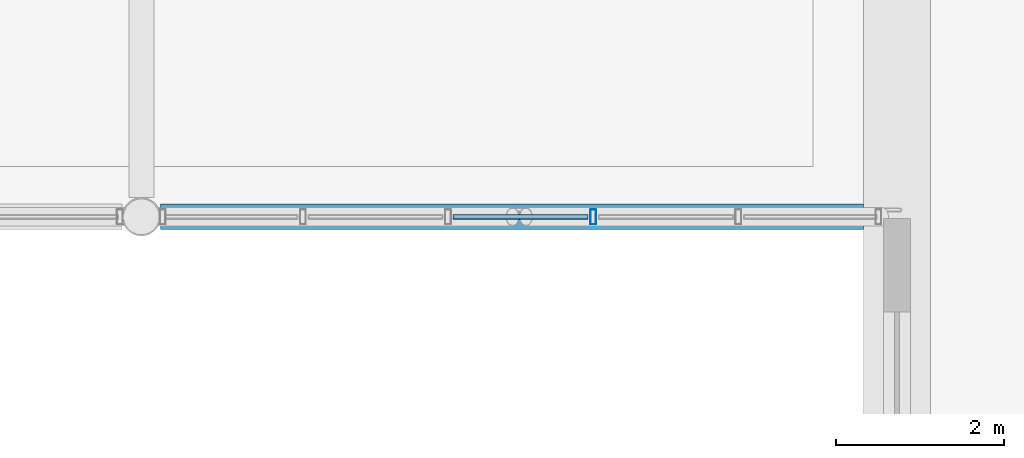
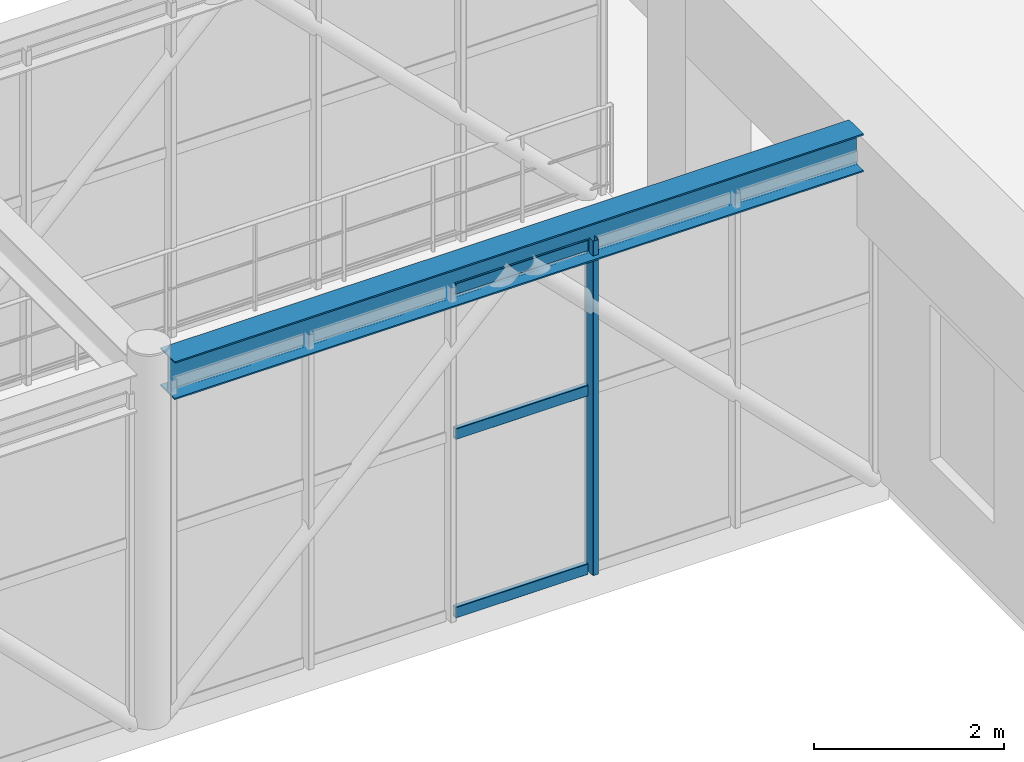
# One storey, part 60 of 178: 4 members, 1 beam, 1 element without a shape of its own.
"""IFC4 building model written with IfcOpenShell, lengths in metres."""

from ifc_helpers import new_model, si_unit, derived_unit, direction, frame, origin, origin_2d, place, context, subcontext, project, spatial, hollow_rectangle, i_section, extrude, material, material_profile, profile_set, type_object, element, aggregate, save


model = new_model("IFC4")

# Units and contexts
model_context = context("Model", 3, precision=1e-05, world=origin(), true_north=direction((0.0, 1.0)))
body_context = subcontext(model_context, "Body", "Model", "MODEL_VIEW")
ifc_project = project(units=[si_unit("LENGTHUNIT", "METRE"), si_unit("AREAUNIT", "SQUARE_METRE"), si_unit("VOLUMEUNIT", "CUBIC_METRE"), si_unit("PLANEANGLEUNIT", "RADIAN"), si_unit("MASSUNIT", "GRAM", prefix="KILO"), derived_unit("THERMALTRANSMITTANCEUNIT", [(si_unit("MASSUNIT", "GRAM", prefix="KILO"), 1), (si_unit("TIMEUNIT", "SECOND"), -3), (si_unit("THERMODYNAMICTEMPERATUREUNIT", "KELVIN"), -1)])], contexts=[model_context])

# Site, building, storey
site_placement = place(None, origin())
site = spatial("IfcSite", under=ifc_project, at=site_placement, CompositionType="ELEMENT")
building_placement = place(site_placement, origin())
building = spatial("IfcBuilding", under=site, at=building_placement, Name="Zhenchuan Archway Interchange", CompositionType="ELEMENT")
storey_placement = place(building_placement, frame((0.0, 0.0, 5.39990234375)))
storey = spatial("IfcBuildingStorey", under=building, at=storey_placement, Name="L01", CompositionType="ELEMENT", Elevation=5.39990234375)

# Beam
ifc_material_1 = material(Name="Steel Q390", Category="steel")
ifc_material_profile_1 = material_profile(ifc_material_1, i_section(OverallWidth=0.300048828125, OverallDepth=0.488037109375, WebThickness=0.010986328125, FlangeThickness=0.01806640625, FilletRadius=0.02197265625, at=origin_2d()), Name="HM 488x300")
ifc_profile_set_1 = profile_set([ifc_material_profile_1], Name="Steel Q390")
beam_type = type_object("IfcBeamType", Name="BM_STL_HM488", PredefinedType="BEAM", material=ifc_profile_set_1)
beam_placement = place(storey_placement, frame((90.228515625, 52.0, 4.336181640625), z_axis=(1.0, 0.0, 0.0), x_axis=(0.0, 1.0, 0.0)))
element("IfcBeam", 1, at=beam_placement, inside=storey, type_object=beam_type, Name="Footbridge roof chord girder E-S (L01)", PredefinedType="BEAM", context=body_context, shape_type="SweptSolid", body=[
    extrude(i_section(OverallWidth=0.300048828125, OverallDepth=0.488037109375, WebThickness=0.010986328125, FlangeThickness=0.01806640625, FilletRadius=0.02197265625, at=origin_2d()), origin(), (0.0, 0.0, 1.0), 8.37158203125),
])

# Curtain wall, members
ifc_material_2 = material(Name="Anodised Aluminium", Category="aluminium")
curtain_wall_type = type_object("IfcCurtainWallType", Name="CW_UNIT_4", PredefinedType="NOTDEFINED", material=ifc_material_2)
curtain_wall_placement = place(storey_placement, origin())
curtain_wall = element("IfcCurtainWall", 2, at=curtain_wall_placement, inside=storey, type_object=curtain_wall_type, Name="Unitised curtain wall CW:L01:075", PredefinedType="NOTDEFINED")
ifc_material_profile_2 = material_profile(ifc_material_2, hollow_rectangle(XDim=0.070068359375, YDim=0.179931640625, WallThickness=0.00390625, InnerFilletRadius=0.00390625, OuterFilletRadius=0.008056640625, at=origin_2d()), Name="ALU 180x70x4")
ifc_profile_set_2 = profile_set([ifc_material_profile_2], Name="Anodised Aluminium")
member_type_1 = type_object("IfcMemberType", Name="CW_MUL_180", PredefinedType="MULLION", material=ifc_profile_set_2)
member_1_placement = place(storey_placement, frame((95.382080078125, 52.0, 0.0), z_axis=(0.0, 0.0, 1.0), x_axis=(1.0, 0.0, 0.0)))
member_1 = element("IfcMember", 3, at=member_1_placement, type_object=member_type_1, Name="CW:L01:075 mullion 2", PredefinedType="MULLION", context=body_context, shape_type="SweptSolid", body=[
    extrude(hollow_rectangle(XDim=0.070068359375, YDim=0.179931640625, WallThickness=0.00390625, InnerFilletRadius=0.00390625, OuterFilletRadius=0.008056640625, at=origin_2d()), origin(), (0.0, 0.0, 1.0), 4.300048828125),
])
ifc_material_profile_3 = material_profile(ifc_material_2, hollow_rectangle(XDim=0.06005859375, YDim=0.139892578125, WallThickness=0.00341796875, InnerFilletRadius=0.00341796875, OuterFilletRadius=0.007080078125, at=origin_2d()), Name="ALU 140x60x3.5")
ifc_profile_set_3 = profile_set([ifc_material_profile_3], Name="Anodised Aluminium")
member_type_2 = type_object("IfcMemberType", Name="CW_TRN_140", PredefinedType="USERDEFINED", material=ifc_profile_set_3)
member_2_placement = place(storey_placement, frame((95.322265625, 52.0, 0.06005859375), z_axis=(-1.0, 0.0, 0.0), x_axis=(0.0, -1.0, 0.0)))
member_2 = element("IfcMember", 4, at=member_2_placement, type_object=member_type_2, Name="CW:L01:075 transom 2-1", ObjectType="TRANSOM", PredefinedType="USERDEFINED", context=body_context, shape_type="SweptSolid", body=[
    extrude(hollow_rectangle(XDim=0.06005859375, YDim=0.139892578125, WallThickness=0.00341796875, InnerFilletRadius=0.00341796875, OuterFilletRadius=0.007080078125, at=origin_2d()), origin(), (0.0, 0.0, 1.0), 1.60888671875),
])
member_3_placement = place(storey_placement, frame((95.322265625, 52.0, 2.35400390625), z_axis=(-1.0, 0.0, 0.0), x_axis=(0.0, -1.0, 0.0)))
member_3 = element("IfcMember", 5, at=member_3_placement, type_object=member_type_2, Name="CW:L01:075 transom 2-2", ObjectType="TRANSOM", PredefinedType="USERDEFINED", context=body_context, shape_type="SweptSolid", body=[
    extrude(hollow_rectangle(XDim=0.06005859375, YDim=0.139892578125, WallThickness=0.00341796875, InnerFilletRadius=0.00341796875, OuterFilletRadius=0.007080078125, at=origin_2d()), origin(), (0.0, 0.0, 1.0), 1.60888671875),
])
member_4_placement = place(storey_placement, frame((95.322265625, 52.0, 4.22021484375), z_axis=(-1.0, 0.0, 0.0), x_axis=(0.0, -1.0, 0.0)))
member_4 = element("IfcMember", 6, at=member_4_placement, type_object=member_type_2, Name="CW:L01:075 transom 2-3", ObjectType="TRANSOM", PredefinedType="USERDEFINED", context=body_context, shape_type="SweptSolid", body=[
    extrude(hollow_rectangle(XDim=0.06005859375, YDim=0.139892578125, WallThickness=0.00341796875, InnerFilletRadius=0.00341796875, OuterFilletRadius=0.007080078125, at=origin_2d()), origin(), (0.0, 0.0, 1.0), 1.60888671875),
])
aggregate(curtain_wall, [member_1, member_2, member_3, member_4])

save(model, "model.ifc")
